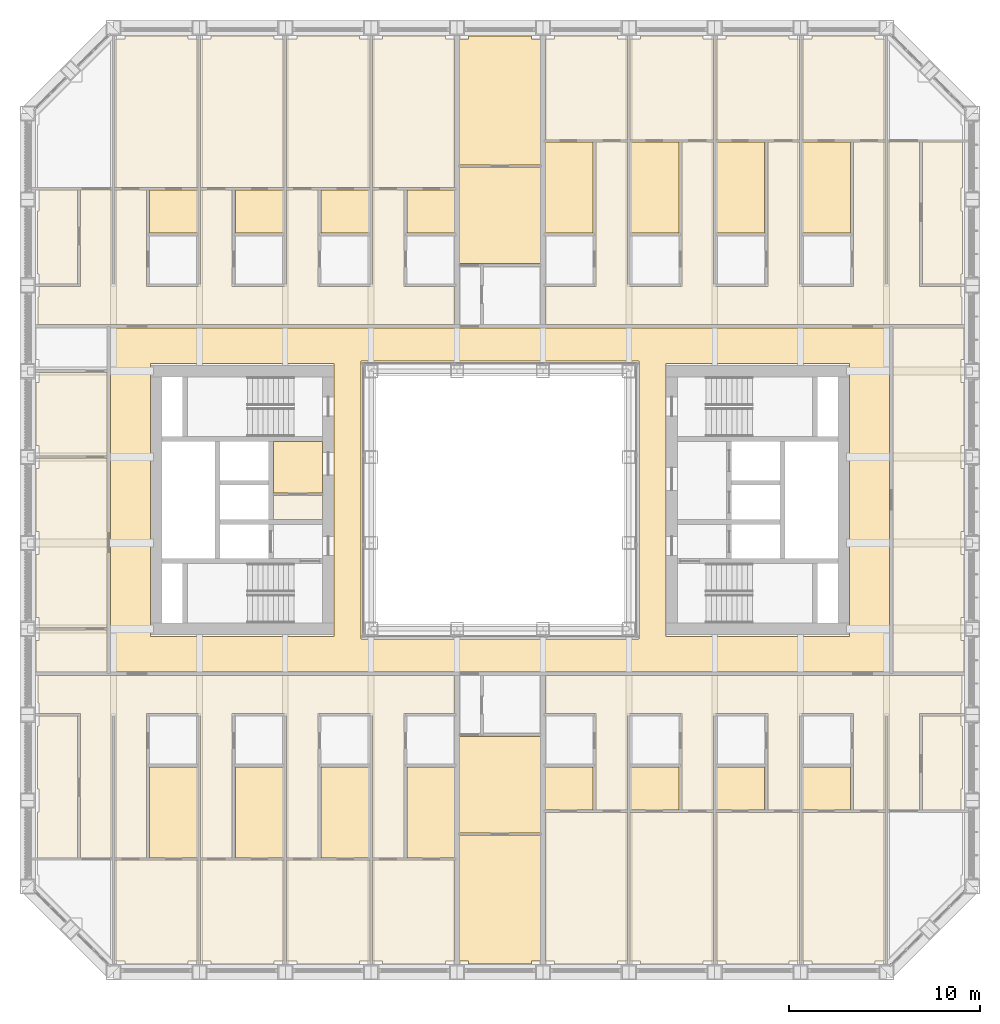
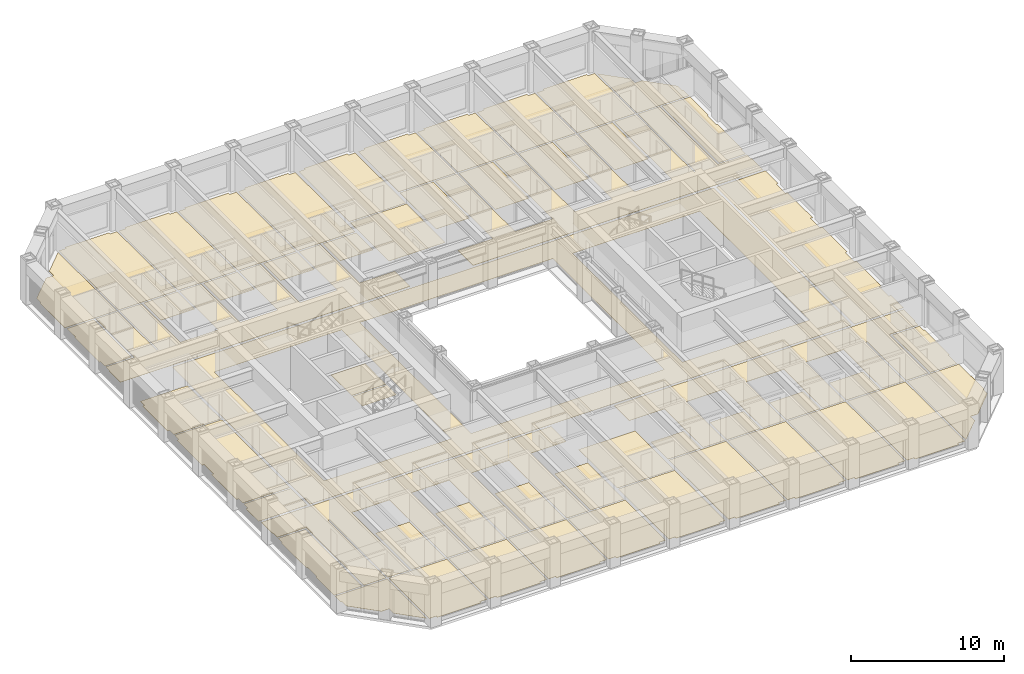
# One storey, part 19 of 21: 3 coverings.
"""IFC4 building model written with IfcOpenShell, lengths in metres."""

from ifc_helpers import new_model, si_unit, direction, frame, origin, place, context, subcontext, project, spatial, line, indexed_curve, outline, extrude, material, layer, layer_set, type_object, element, save


model = new_model("IFC4")

# Units and contexts
model_context = context("Model", 3, precision=1e-05, world=origin(), true_north=direction((0.0, 1.0)))
body_context = subcontext(model_context, "Body", "Model", "MODEL_VIEW")
ifc_project = project(units=[si_unit("LENGTHUNIT", "METRE"), si_unit("AREAUNIT", "SQUARE_METRE"), si_unit("VOLUMEUNIT", "CUBIC_METRE"), si_unit("PLANEANGLEUNIT", "RADIAN"), si_unit("MASSUNIT", "GRAM", prefix="KILO")], contexts=[model_context])

# Site, building, storey
site_placement = place(None, origin())
site = spatial("IfcSite", under=ifc_project, at=site_placement, CompositionType="ELEMENT")
building_placement = place(site_placement, origin())
building = spatial("IfcBuilding", under=site, at=building_placement, Name="Msasa Ring Tower", CompositionType="ELEMENT")
storey_placement = place(building_placement, frame((0.0, 0.0, 100.0)))
storey = spatial("IfcBuildingStorey", under=building, at=storey_placement, Name="L26", CompositionType="ELEMENT", Elevation=100.0)

# Coverings
ifc_material_1 = material(Name="Wool-blend carpet on felt underlay", Category="textile")
ifc_layer_1 = layer(ifc_material_1, 0.011962890625)
ifc_layer_set_1 = layer_set([ifc_layer_1], Name="F2 CARPET ON UNDERLAY 12")
covering_type_1 = type_object("IfcCoveringType", Name="F2 CARPET ON UNDERLAY 12", PredefinedType="FLOORING", material=ifc_layer_set_1)
covering_1_placement = place(storey_placement, origin())
element("IfcCovering", 1, at=covering_1_placement, inside=storey, type_object=covering_type_1, Name="Carpet On Underlay 12 L26", PredefinedType="FLOORING", context=body_context, shape_type="SweptSolid", body=[
    extrude(outline(indexed_curve([(-20.318115234375, -24.044921875), (-21.8994140625, -22.46337890625), (-21.8994140625, -21.8994140625), (-22.46337890625, -21.8994140625), (-24.1494140625, -20.21337890625), (-24.1494140625, -19.6494140625), (-24.23193359375, -19.6494140625), (-24.23193359375, -18.87548828125), (-20.318115234375, -18.87548828125)], segments=[line(1, 2, 3, 4, 5, 6, 7, 8, 9, 1)], self_intersect=False)), origin(), (0.0, 0.0, 1.0), 0.011962890625),
    extrude(outline(indexed_curve([(-22.46337890625, 21.8994140625), (-21.8994140625, 21.8994140625), (-21.8994140625, 22.46337890625), (-20.318115234375, 24.044921875), (-20.318115234375, 16.37548828125), (-24.23193359375, 16.37548828125), (-24.23193359375, 19.6494140625), (-24.1494140625, 19.6494140625), (-24.1494140625, 20.21337890625)], segments=[line(1, 2, 3, 4, 5, 6, 7, 8, 9, 1)], self_intersect=False)), origin(), (0.0, 0.0, 1.0), 0.011962890625),
    extrude(outline(indexed_curve([(20.3994140625, -8.99951171875), (-20.3994140625, -8.99951171875), (-20.3994140625, 8.99951171875), (20.3994140625, 8.99951171875)], segments=[line(1, 2, 3, 4, 1)], self_intersect=False), holes=[indexed_curve([(18.300537109375, -7.150390625), (18.300537109375, 7.150390625), (8.699462890625, 7.150390625), (8.699462890625, -7.150390625)], segments=[line(1, 2, 3, 4, 1)], self_intersect=False), indexed_curve([(-18.300537109375, 7.150390625), (-18.300537109375, -7.150390625), (-8.699462890625, -7.150390625), (-8.699462890625, 7.150390625)], segments=[line(1, 2, 3, 4, 1)], self_intersect=False), indexed_curve([(-7.275390625, -7.275390625), (7.275390625, -7.275390625), (7.280517578125, -7.23046875), (7.275390625, 7.275390625), (-7.275390625, 7.275390625)], segments=[line(1, 2, 3, 4, 5, 1)], self_intersect=False)]), origin(), (0.0, 0.0, 1.0), 0.011962890625),
    extrude(outline(indexed_curve([(-15.818115234375, -18.74951171875), (-18.369384765625, -18.74951171875), (-18.369384765625, -13.992919921875), (-15.818115234375, -13.992919921875)], segments=[line(1, 2, 3, 4, 1)], self_intersect=False)), origin(), (0.0, 0.0, 1.0), 0.011962890625),
    extrude(outline(indexed_curve([(-15.818115234375, 13.992919921875), (-18.369384765625, 13.992919921875), (-18.369384765625, 16.24951171875), (-15.818115234375, 16.24951171875)], segments=[line(1, 2, 3, 4, 1)], self_intersect=False)), origin(), (0.0, 0.0, 1.0), 0.011962890625),
    extrude(outline(indexed_curve([(-11.318115234375, -13.992919921875), (-11.318115234375, -18.74951171875), (-13.869384765625, -18.74951171875), (-13.869384765625, -13.992919921875)], segments=[line(1, 2, 3, 4, 1)], self_intersect=False)), origin(), (0.0, 0.0, 1.0), 0.011962890625),
    extrude(outline(indexed_curve([(-11.318115234375, 13.992919921875), (-13.869384765625, 13.992919921875), (-13.869384765625, 16.24951171875), (-11.318115234375, 16.24951171875)], segments=[line(1, 2, 3, 4, 1)], self_intersect=False)), origin(), (0.0, 0.0, 1.0), 0.011962890625),
    extrude(outline(indexed_curve([(-9.300537109375, 3.074462890625), (-9.300537109375, 0.35546875), (-11.87451171875, 0.35546875), (-11.87451171875, 3.074462890625)], segments=[line(1, 2, 3, 4, 1)], self_intersect=False)), origin(), (0.0, 0.0, 1.0), 0.011962890625),
    extrude(outline(indexed_curve([(-6.818115234375, -18.74951171875), (-9.369384765625, -18.74951171875), (-9.369384765625, -13.992919921875), (-6.818115234375, -13.992919921875)], segments=[line(1, 2, 3, 4, 1)], self_intersect=False)), origin(), (0.0, 0.0, 1.0), 0.011962890625),
    extrude(outline(indexed_curve([(-6.818115234375, 13.992919921875), (-9.369384765625, 13.992919921875), (-9.369384765625, 16.24951171875), (-6.818115234375, 16.24951171875)], segments=[line(1, 2, 3, 4, 1)], self_intersect=False)), origin(), (0.0, 0.0, 1.0), 0.011962890625),
    extrude(outline(indexed_curve([(-4.869384765625, -13.992919921875), (-2.37548828125, -13.992919921875), (-2.37548828125, -18.74951171875), (-4.869384765625, -18.74951171875)], segments=[line(1, 2, 3, 4, 1)], self_intersect=False)), origin(), (0.0, 0.0, 1.0), 0.011962890625),
    extrude(outline(indexed_curve([(-4.869384765625, 13.992919921875), (-4.869384765625, 16.24951171875), (-2.37548828125, 16.24951171875), (-2.37548828125, 13.992919921875)], segments=[line(1, 2, 3, 4, 1)], self_intersect=False)), origin(), (0.0, 0.0, 1.0), 0.011962890625),
    extrude(outline(indexed_curve([(-1.6494140625, -24.299560546875), (-1.6494140625, -24.1494140625), (-2.12451171875, -24.1494140625), (-2.12451171875, -17.555419921875), (2.12451171875, -17.555419921875), (2.12451171875, -24.1494140625), (1.6494140625, -24.1494140625), (1.6494140625, -24.299560546875)], segments=[line(1, 2, 3, 4, 5, 6, 7, 8, 1)], self_intersect=False)), origin(), (0.0, 0.0, 1.0), 0.011962890625),
    extrude(outline(indexed_curve([(-2.12451171875, -17.444580078125), (-2.12451171875, -12.380615234375), (2.12451171875, -12.380615234375), (2.12451171875, -17.444580078125)], segments=[line(1, 2, 3, 4, 1)], self_intersect=False)), origin(), (0.0, 0.0, 1.0), 0.011962890625),
    extrude(outline(indexed_curve([(-2.12451171875, 12.380615234375), (-2.12451171875, 17.444580078125), (2.12451171875, 17.444580078125), (2.12451171875, 12.380615234375)], segments=[line(1, 2, 3, 4, 1)], self_intersect=False)), origin(), (0.0, 0.0, 1.0), 0.011962890625),
    extrude(outline(indexed_curve([(1.6494140625, 24.299560546875), (1.6494140625, 24.1494140625), (2.12451171875, 24.1494140625), (2.12451171875, 17.555419921875), (-2.12451171875, 17.555419921875), (-2.12451171875, 24.1494140625), (-1.6494140625, 24.1494140625), (-1.6494140625, 24.299560546875)], segments=[line(1, 2, 3, 4, 5, 6, 7, 8, 1)], self_intersect=False)), origin(), (0.0, 0.0, 1.0), 0.011962890625),
    extrude(outline(indexed_curve([(4.869384765625, -16.24951171875), (2.37548828125, -16.24951171875), (2.37548828125, -13.992919921875), (4.869384765625, -13.992919921875)], segments=[line(1, 2, 3, 4, 1)], self_intersect=False)), origin(), (0.0, 0.0, 1.0), 0.011962890625),
    extrude(outline(indexed_curve([(4.869384765625, 13.992919921875), (2.37548828125, 13.992919921875), (2.37548828125, 18.74951171875), (4.869384765625, 18.74951171875)], segments=[line(1, 2, 3, 4, 1)], self_intersect=False)), origin(), (0.0, 0.0, 1.0), 0.011962890625),
    extrude(outline(indexed_curve([(9.369384765625, -16.24951171875), (6.818115234375, -16.24951171875), (6.818115234375, -13.992919921875), (9.369384765625, -13.992919921875)], segments=[line(1, 2, 3, 4, 1)], self_intersect=False)), origin(), (0.0, 0.0, 1.0), 0.011962890625),
    extrude(outline(indexed_curve([(9.369384765625, 13.992919921875), (6.818115234375, 13.992919921875), (6.818115234375, 18.74951171875), (9.369384765625, 18.74951171875)], segments=[line(1, 2, 3, 4, 1)], self_intersect=False)), origin(), (0.0, 0.0, 1.0), 0.011962890625),
    extrude(outline(indexed_curve([(13.869384765625, -13.992919921875), (13.869384765625, -16.24951171875), (11.318115234375, -16.24951171875), (11.318115234375, -13.992919921875)], segments=[line(1, 2, 3, 4, 1)], self_intersect=False)), origin(), (0.0, 0.0, 1.0), 0.011962890625),
    extrude(outline(indexed_curve([(13.869384765625, 13.992919921875), (11.318115234375, 13.992919921875), (11.318115234375, 18.74951171875), (13.869384765625, 18.74951171875)], segments=[line(1, 2, 3, 4, 1)], self_intersect=False)), origin(), (0.0, 0.0, 1.0), 0.011962890625),
    extrude(outline(indexed_curve([(18.369384765625, -16.24951171875), (15.818115234375, -16.24951171875), (15.818115234375, -13.992919921875), (18.369384765625, -13.992919921875)], segments=[line(1, 2, 3, 4, 1)], self_intersect=False)), origin(), (0.0, 0.0, 1.0), 0.011962890625),
    extrude(outline(indexed_curve([(18.369384765625, 13.992919921875), (15.818115234375, 13.992919921875), (15.818115234375, 18.74951171875), (18.369384765625, 18.74951171875)], segments=[line(1, 2, 3, 4, 1)], self_intersect=False)), origin(), (0.0, 0.0, 1.0), 0.011962890625),
    extrude(outline(indexed_curve([(24.23193359375, -19.6494140625), (24.1494140625, -19.6494140625), (24.1494140625, -20.21337890625), (22.46337890625, -21.8994140625), (21.8994140625, -21.8994140625), (21.8994140625, -22.46337890625), (20.318115234375, -24.044921875), (20.318115234375, -16.37548828125), (24.23193359375, -16.37548828125)], segments=[line(1, 2, 3, 4, 5, 6, 7, 8, 9, 1)], self_intersect=False)), origin(), (0.0, 0.0, 1.0), 0.011962890625),
    extrude(outline(indexed_curve([(21.8994140625, 22.46337890625), (21.8994140625, 21.8994140625), (22.46337890625, 21.8994140625), (24.1494140625, 20.21337890625), (24.1494140625, 19.6494140625), (24.23193359375, 19.6494140625), (24.23193359375, 18.87548828125), (20.318115234375, 18.87548828125), (20.318115234375, 24.044921875)], segments=[line(1, 2, 3, 4, 5, 6, 7, 8, 9, 1)], self_intersect=False)), origin(), (0.0, 0.0, 1.0), 0.011962890625),
])
ifc_material_2 = material(Name="Engineered oak boards on an acoustic underlay", Category="wood")
ifc_layer_2 = layer(ifc_material_2, 0.01806640625)
ifc_layer_set_2 = layer_set([ifc_layer_2], Name="F3 ENGINEERED TIMBER ON ACOUSTIC UNDERLAY 18")
covering_type_2 = type_object("IfcCoveringType", Name="F3 ENGINEERED TIMBER ON ACOUSTIC UNDERLAY 18", PredefinedType="FLOORING", material=ifc_layer_set_2)
covering_2_placement = place(storey_placement, origin())
element("IfcCovering", 2, at=covering_2_placement, inside=storey, type_object=covering_type_2, Name="Engineered Timber On Acoustic Underlay 18 L26", PredefinedType="FLOORING", context=body_context, shape_type="SweptSolid", body=[
    extrude(outline(indexed_curve([(-24.1494140625, -6.694580078125), (-24.1494140625, -6.1494140625), (-24.299560546875, -6.1494140625), (-24.299560546875, -2.8505859375), (-24.1494140625, -2.8505859375), (-24.1494140625, -1.6494140625), (-24.299560546875, -1.6494140625), (-24.299560546875, 1.6494140625), (-24.1494140625, 1.6494140625), (-24.1494140625, 2.194580078125), (-20.6005859375, 2.194580078125), (-20.6005859375, -6.694580078125)], segments=[line(1, 2, 3, 4, 5, 6, 7, 8, 9, 10, 11, 12, 1)], self_intersect=False)), origin(), (0.0, 0.0, 1.0), 0.01806640625),
    extrude(outline(indexed_curve([(-24.299560546875, 6.1494140625), (-24.1494140625, 6.1494140625), (-24.1494140625, 6.66943359375), (-20.6005859375, 6.66943359375), (-20.6005859375, 2.305419921875), (-24.1494140625, 2.305419921875), (-24.1494140625, 2.8505859375), (-24.299560546875, 2.8505859375)], segments=[line(1, 2, 3, 4, 5, 6, 7, 8, 1)], self_intersect=False)), origin(), (0.0, 0.0, 1.0), 0.01806640625),
    extrude(outline(indexed_curve([(-11.181884765625, -11.18701171875), (-14.030517578125, -11.18701171875), (-14.030517578125, -18.74951171875), (-15.681884765625, -18.74951171875), (-15.681884765625, -11.18701171875), (-18.530517578125, -11.18701171875), (-18.530517578125, -18.74951171875), (-20.181884765625, -18.74951171875), (-20.181884765625, -11.18701171875), (-20.318115234375, -11.18701171875), (-20.318115234375, -18.74951171875), (-21.969482421875, -18.74951171875), (-21.969482421875, -11.18701171875), (-24.1494140625, -11.18701171875), (-24.1494140625, -10.6494140625), (-24.199462890625, -10.6494140625), (-24.199462890625, -9.200439453125), (-2.37548828125, -9.200439453125), (-2.37548828125, -11.18701171875), (-5.030517578125, -11.18701171875), (-5.030517578125, -18.74951171875), (-6.681884765625, -18.74951171875), (-6.681884765625, -11.18701171875), (-9.530517578125, -11.18701171875), (-9.530517578125, -18.74951171875), (-11.181884765625, -18.74951171875)], segments=[line(1, 2, 3, 4, 5, 6, 7, 8, 9, 10, 11, 12, 13, 14, 15, 16, 17, 18, 19, 20, 21, 22, 23, 24, 25, 26, 1)], self_intersect=False)), origin(), (0.0, 0.0, 1.0), 0.01806640625),
    extrude(outline(indexed_curve([(-18.530517578125, 11.18701171875), (-15.681884765625, 11.18701171875), (-15.681884765625, 16.24951171875), (-14.030517578125, 16.24951171875), (-14.030517578125, 11.18701171875), (-11.181884765625, 11.18701171875), (-11.181884765625, 16.24951171875), (-9.530517578125, 16.24951171875), (-9.530517578125, 11.18701171875), (-6.681884765625, 11.18701171875), (-6.681884765625, 16.24951171875), (-5.030517578125, 16.24951171875), (-5.030517578125, 11.18701171875), (-2.37548828125, 11.18701171875), (-2.37548828125, 9.200439453125), (-24.199462890625, 9.200439453125), (-24.199462890625, 10.6494140625), (-24.1494140625, 10.6494140625), (-24.1494140625, 11.18701171875), (-21.969482421875, 11.18701171875), (-21.969482421875, 16.24951171875), (-20.318115234375, 16.24951171875), (-20.318115234375, 11.18701171875), (-20.181884765625, 11.18701171875), (-20.181884765625, 16.24951171875), (-18.530517578125, 16.24951171875)], segments=[line(1, 2, 3, 4, 5, 6, 7, 8, 9, 10, 11, 12, 13, 14, 15, 16, 17, 18, 19, 20, 21, 22, 23, 24, 25, 26, 1)], self_intersect=False)), origin(), (0.0, 0.0, 1.0), 0.01806640625),
    extrude(outline(indexed_curve([(-15.818115234375, -24.1494140625), (-16.3505859375, -24.1494140625), (-16.3505859375, -24.299560546875), (-19.6494140625, -24.299560546875), (-19.6494140625, -24.1494140625), (-20.181884765625, -24.1494140625), (-20.181884765625, -18.87548828125), (-15.818115234375, -18.87548828125)], segments=[line(1, 2, 3, 4, 5, 6, 7, 8, 1)], self_intersect=False)), origin(), (0.0, 0.0, 1.0), 0.01806640625),
    extrude(outline(indexed_curve([(-20.181884765625, 24.1494140625), (-19.6494140625, 24.1494140625), (-19.6494140625, 24.299560546875), (-16.3505859375, 24.299560546875), (-16.3505859375, 24.1494140625), (-15.818115234375, 24.1494140625), (-15.818115234375, 16.37548828125), (-20.181884765625, 16.37548828125)], segments=[line(1, 2, 3, 4, 5, 6, 7, 8, 1)], self_intersect=False)), origin(), (0.0, 0.0, 1.0), 0.01806640625),
    extrude(outline(indexed_curve([(-11.318115234375, -24.1494140625), (-11.8505859375, -24.1494140625), (-11.8505859375, -24.299560546875), (-15.1494140625, -24.299560546875), (-15.1494140625, -24.1494140625), (-15.681884765625, -24.1494140625), (-15.681884765625, -18.87548828125), (-11.318115234375, -18.87548828125)], segments=[line(1, 2, 3, 4, 5, 6, 7, 8, 1)], self_intersect=False)), origin(), (0.0, 0.0, 1.0), 0.01806640625),
    extrude(outline(indexed_curve([(-11.8505859375, 24.299560546875), (-11.8505859375, 24.1494140625), (-11.318115234375, 24.1494140625), (-11.318115234375, 16.37548828125), (-15.681884765625, 16.37548828125), (-15.681884765625, 24.1494140625), (-15.1494140625, 24.1494140625), (-15.1494140625, 24.299560546875)], segments=[line(1, 2, 3, 4, 5, 6, 7, 8, 1)], self_intersect=False)), origin(), (0.0, 0.0, 1.0), 0.01806640625),
    extrude(outline(indexed_curve([(-6.818115234375, -24.1494140625), (-7.3505859375, -24.1494140625), (-7.3505859375, -24.299560546875), (-10.6494140625, -24.299560546875), (-10.6494140625, -24.1494140625), (-11.181884765625, -24.1494140625), (-11.181884765625, -18.87548828125), (-6.818115234375, -18.87548828125)], segments=[line(1, 2, 3, 4, 5, 6, 7, 8, 1)], self_intersect=False)), origin(), (0.0, 0.0, 1.0), 0.01806640625),
    extrude(outline(indexed_curve([(-7.3505859375, 24.299560546875), (-7.3505859375, 24.1494140625), (-6.818115234375, 24.1494140625), (-6.818115234375, 16.37548828125), (-11.181884765625, 16.37548828125), (-11.181884765625, 24.1494140625), (-10.6494140625, 24.1494140625), (-10.6494140625, 24.299560546875)], segments=[line(1, 2, 3, 4, 5, 6, 7, 8, 1)], self_intersect=False)), origin(), (0.0, 0.0, 1.0), 0.01806640625),
    extrude(outline(indexed_curve([(-6.1494140625, -24.299560546875), (-6.1494140625, -24.1494140625), (-6.681884765625, -24.1494140625), (-6.681884765625, -18.87548828125), (-2.37548828125, -18.87548828125), (-2.37548828125, -24.1494140625), (-2.8505859375, -24.1494140625), (-2.8505859375, -24.299560546875)], segments=[line(1, 2, 3, 4, 5, 6, 7, 8, 1)], self_intersect=False)), origin(), (0.0, 0.0, 1.0), 0.01806640625),
    extrude(outline(indexed_curve([(-2.8505859375, 24.299560546875), (-2.8505859375, 24.1494140625), (-2.37548828125, 24.1494140625), (-2.37548828125, 16.37548828125), (-6.681884765625, 16.37548828125), (-6.681884765625, 24.1494140625), (-6.1494140625, 24.1494140625), (-6.1494140625, 24.299560546875)], segments=[line(1, 2, 3, 4, 5, 6, 7, 8, 1)], self_intersect=False)), origin(), (0.0, 0.0, 1.0), 0.01806640625),
    extrude(outline(indexed_curve([(6.681884765625, -24.1494140625), (6.1494140625, -24.1494140625), (6.1494140625, -24.299560546875), (2.8505859375, -24.299560546875), (2.8505859375, -24.1494140625), (2.37548828125, -24.1494140625), (2.37548828125, -16.37548828125), (6.681884765625, -16.37548828125)], segments=[line(1, 2, 3, 4, 5, 6, 7, 8, 1)], self_intersect=False)), origin(), (0.0, 0.0, 1.0), 0.01806640625),
    extrude(outline(indexed_curve([(18.530517578125, -11.18701171875), (15.681884765625, -11.18701171875), (15.681884765625, -16.24951171875), (14.030517578125, -16.24951171875), (14.030517578125, -11.18701171875), (11.181884765625, -11.18701171875), (11.181884765625, -16.24951171875), (9.530517578125, -16.24951171875), (9.530517578125, -11.18701171875), (6.681884765625, -11.18701171875), (6.681884765625, -16.24951171875), (5.030517578125, -16.24951171875), (5.030517578125, -11.18701171875), (2.37548828125, -11.18701171875), (2.37548828125, -9.200439453125), (24.199462890625, -9.200439453125), (24.199462890625, -10.6494140625), (24.1494140625, -10.6494140625), (24.1494140625, -11.18701171875), (21.969482421875, -11.18701171875), (21.969482421875, -16.24951171875), (20.318115234375, -16.24951171875), (20.318115234375, -11.18701171875), (20.181884765625, -11.18701171875), (20.181884765625, -16.24951171875), (18.530517578125, -16.24951171875)], segments=[line(1, 2, 3, 4, 5, 6, 7, 8, 9, 10, 11, 12, 13, 14, 15, 16, 17, 18, 19, 20, 21, 22, 23, 24, 25, 26, 1)], self_intersect=False)), origin(), (0.0, 0.0, 1.0), 0.01806640625),
    extrude(outline(indexed_curve([(11.181884765625, 11.18701171875), (14.030517578125, 11.18701171875), (14.030517578125, 18.74951171875), (15.681884765625, 18.74951171875), (15.681884765625, 11.18701171875), (18.530517578125, 11.18701171875), (18.530517578125, 18.74951171875), (20.181884765625, 18.74951171875), (20.181884765625, 11.18701171875), (20.318115234375, 11.18701171875), (20.318115234375, 18.74951171875), (21.969482421875, 18.74951171875), (21.969482421875, 11.18701171875), (24.1494140625, 11.18701171875), (24.1494140625, 10.6494140625), (24.199462890625, 10.6494140625), (24.199462890625, 9.200439453125), (2.37548828125, 9.200439453125), (2.37548828125, 11.18701171875), (5.030517578125, 11.18701171875), (5.030517578125, 18.74951171875), (6.681884765625, 18.74951171875), (6.681884765625, 11.18701171875), (9.530517578125, 11.18701171875), (9.530517578125, 18.74951171875), (11.181884765625, 18.74951171875)], segments=[line(1, 2, 3, 4, 5, 6, 7, 8, 9, 10, 11, 12, 13, 14, 15, 16, 17, 18, 19, 20, 21, 22, 23, 24, 25, 26, 1)], self_intersect=False)), origin(), (0.0, 0.0, 1.0), 0.01806640625),
    extrude(outline(indexed_curve([(6.1494140625, 24.299560546875), (6.1494140625, 24.1494140625), (6.681884765625, 24.1494140625), (6.681884765625, 18.87548828125), (2.37548828125, 18.87548828125), (2.37548828125, 24.1494140625), (2.8505859375, 24.1494140625), (2.8505859375, 24.299560546875)], segments=[line(1, 2, 3, 4, 5, 6, 7, 8, 1)], self_intersect=False)), origin(), (0.0, 0.0, 1.0), 0.01806640625),
    extrude(outline(indexed_curve([(11.181884765625, -24.1494140625), (10.6494140625, -24.1494140625), (10.6494140625, -24.299560546875), (7.3505859375, -24.299560546875), (7.3505859375, -24.1494140625), (6.818115234375, -24.1494140625), (6.818115234375, -16.37548828125), (11.181884765625, -16.37548828125)], segments=[line(1, 2, 3, 4, 5, 6, 7, 8, 1)], self_intersect=False)), origin(), (0.0, 0.0, 1.0), 0.01806640625),
    extrude(outline(indexed_curve([(6.818115234375, 24.1494140625), (7.3505859375, 24.1494140625), (7.3505859375, 24.299560546875), (10.6494140625, 24.299560546875), (10.6494140625, 24.1494140625), (11.181884765625, 24.1494140625), (11.181884765625, 18.87548828125), (6.818115234375, 18.87548828125)], segments=[line(1, 2, 3, 4, 5, 6, 7, 8, 1)], self_intersect=False)), origin(), (0.0, 0.0, 1.0), 0.01806640625),
    extrude(outline(indexed_curve([(15.681884765625, -24.1494140625), (15.1494140625, -24.1494140625), (15.1494140625, -24.299560546875), (11.8505859375, -24.299560546875), (11.8505859375, -24.1494140625), (11.318115234375, -24.1494140625), (11.318115234375, -16.37548828125), (15.681884765625, -16.37548828125)], segments=[line(1, 2, 3, 4, 5, 6, 7, 8, 1)], self_intersect=False)), origin(), (0.0, 0.0, 1.0), 0.01806640625),
    extrude(outline(indexed_curve([(15.1494140625, 24.299560546875), (15.1494140625, 24.1494140625), (15.681884765625, 24.1494140625), (15.681884765625, 18.87548828125), (11.318115234375, 18.87548828125), (11.318115234375, 24.1494140625), (11.8505859375, 24.1494140625), (11.8505859375, 24.299560546875)], segments=[line(1, 2, 3, 4, 5, 6, 7, 8, 1)], self_intersect=False)), origin(), (0.0, 0.0, 1.0), 0.01806640625),
    extrude(outline(indexed_curve([(20.181884765625, -24.1494140625), (19.6494140625, -24.1494140625), (19.6494140625, -24.299560546875), (16.3505859375, -24.299560546875), (16.3505859375, -24.1494140625), (15.818115234375, -24.1494140625), (15.818115234375, -16.37548828125), (20.181884765625, -16.37548828125)], segments=[line(1, 2, 3, 4, 5, 6, 7, 8, 1)], self_intersect=False)), origin(), (0.0, 0.0, 1.0), 0.01806640625),
    extrude(outline(indexed_curve([(15.818115234375, 24.1494140625), (16.3505859375, 24.1494140625), (16.3505859375, 24.299560546875), (19.6494140625, 24.299560546875), (19.6494140625, 24.1494140625), (20.181884765625, 24.1494140625), (20.181884765625, 18.87548828125), (15.818115234375, 18.87548828125)], segments=[line(1, 2, 3, 4, 5, 6, 7, 8, 1)], self_intersect=False)), origin(), (0.0, 0.0, 1.0), 0.01806640625),
])
ifc_material_3 = material(Name="Welded vinyl safety sheet flooring", Category="vinyl")
ifc_layer_3 = layer(ifc_material_3, 0.0029296875)
ifc_layer_set_3 = layer_set([ifc_layer_3], Name="F5 RESILIENT SHEET FLOORING 3")
covering_type_3 = type_object("IfcCoveringType", Name="F5 RESILIENT SHEET FLOORING 3", PredefinedType="FLOORING", material=ifc_layer_set_3)
covering_3_placement = place(storey_placement, origin())
element("IfcCovering", 3, at=covering_3_placement, inside=storey, type_object=covering_type_3, Name="Resilient Sheet Flooring 3 L26", PredefinedType="FLOORING", context=body_context, shape_type="SweptSolid", body=[
    extrude(outline(indexed_curve([(-20.6005859375, -8.99951171875), (-24.299560546875, -8.99951171875), (-24.299560546875, -7.3505859375), (-24.1494140625, -7.3505859375), (-24.1494140625, -6.805419921875), (-20.6005859375, -6.805419921875)], segments=[line(1, 2, 3, 4, 5, 6, 1)], self_intersect=False)), origin(), (0.0, 0.0, 1.0), 0.0029296875),
    extrude(outline(indexed_curve([(-24.23193359375, -16.3505859375), (-24.1494140625, -16.3505859375), (-24.1494140625, -15.1494140625), (-24.23193359375, -15.1494140625), (-24.23193359375, -11.8505859375), (-24.1494140625, -11.8505859375), (-24.1494140625, -11.318115234375), (-22.130615234375, -11.318115234375), (-22.130615234375, -18.74951171875), (-24.23193359375, -18.74951171875)], segments=[line(1, 2, 3, 4, 5, 6, 7, 8, 9, 10, 1)], self_intersect=False)), origin(), (0.0, 0.0, 1.0), 0.0029296875),
    extrude(outline(indexed_curve([(-24.23193359375, 15.1494140625), (-24.1494140625, 15.1494140625), (-24.1494140625, 16.24951171875), (-22.130615234375, 16.24951171875), (-22.130615234375, 11.318115234375), (-24.1494140625, 11.318115234375), (-24.1494140625, 11.8505859375), (-24.23193359375, 11.8505859375)], segments=[line(1, 2, 3, 4, 5, 6, 7, 8, 1)], self_intersect=False)), origin(), (0.0, 0.0, 1.0), 0.0029296875),
    extrude(outline(indexed_curve([(-11.87451171875, 0.244384765625), (-9.300537109375, 0.244384765625), (-9.300537109375, -1.0244140625), (-11.87451171875, -1.0244140625)], segments=[line(1, 2, 3, 4, 1)], self_intersect=False)), origin(), (0.0, 0.0, 1.0), 0.0029296875),
    extrude(outline(indexed_curve([(20.6005859375, -8.99951171875), (20.6005859375, 8.99951171875), (24.299560546875, 8.99951171875), (24.299560546875, 7.3505859375), (24.1494140625, 7.3505859375), (24.1494140625, 6.1494140625), (24.299560546875, 6.1494140625), (24.299560546875, 2.8505859375), (24.1494140625, 2.8505859375), (24.1494140625, 1.6494140625), (24.299560546875, 1.6494140625), (24.299560546875, -1.6494140625), (24.1494140625, -1.6494140625), (24.1494140625, -2.8505859375), (24.299560546875, -2.8505859375), (24.299560546875, -6.1494140625), (24.1494140625, -6.1494140625), (24.1494140625, -7.3505859375), (24.299560546875, -7.3505859375), (24.299560546875, -8.99951171875)], segments=[line(1, 2, 3, 4, 5, 6, 7, 8, 9, 10, 11, 12, 13, 14, 15, 16, 17, 18, 19, 20, 1)], self_intersect=False)), origin(), (0.0, 0.0, 1.0), 0.0029296875),
    extrude(outline(indexed_curve([(22.130615234375, -11.318115234375), (24.1494140625, -11.318115234375), (24.1494140625, -11.8505859375), (24.23193359375, -11.8505859375), (24.23193359375, -15.1494140625), (24.1494140625, -15.1494140625), (24.1494140625, -16.24951171875), (22.130615234375, -16.24951171875)], segments=[line(1, 2, 3, 4, 5, 6, 7, 8, 1)], self_intersect=False)), origin(), (0.0, 0.0, 1.0), 0.0029296875),
    extrude(outline(indexed_curve([(22.130615234375, 18.74951171875), (24.23193359375, 18.74951171875), (24.23193359375, 16.3505859375), (24.1494140625, 16.3505859375), (24.1494140625, 15.1494140625), (24.23193359375, 15.1494140625), (24.23193359375, 11.8505859375), (24.1494140625, 11.8505859375), (24.1494140625, 11.318115234375), (22.130615234375, 11.318115234375)], segments=[line(1, 2, 3, 4, 5, 6, 7, 8, 9, 10, 1)], self_intersect=False)), origin(), (0.0, 0.0, 1.0), 0.0029296875),
])

save(model, "model.ifc")
